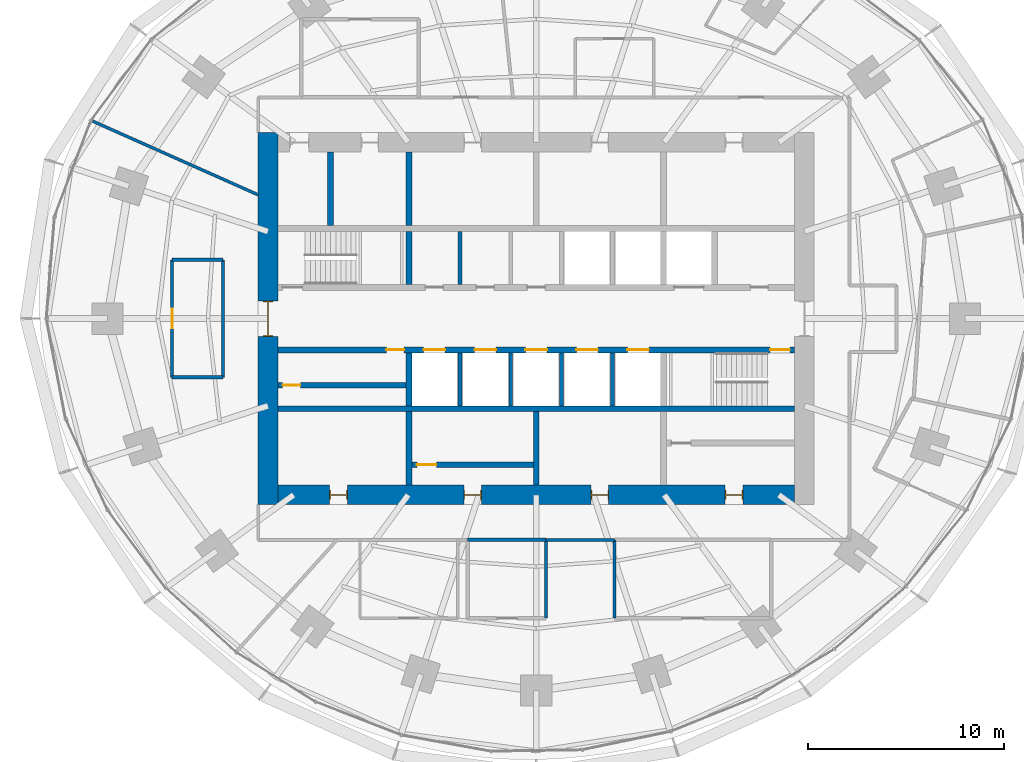
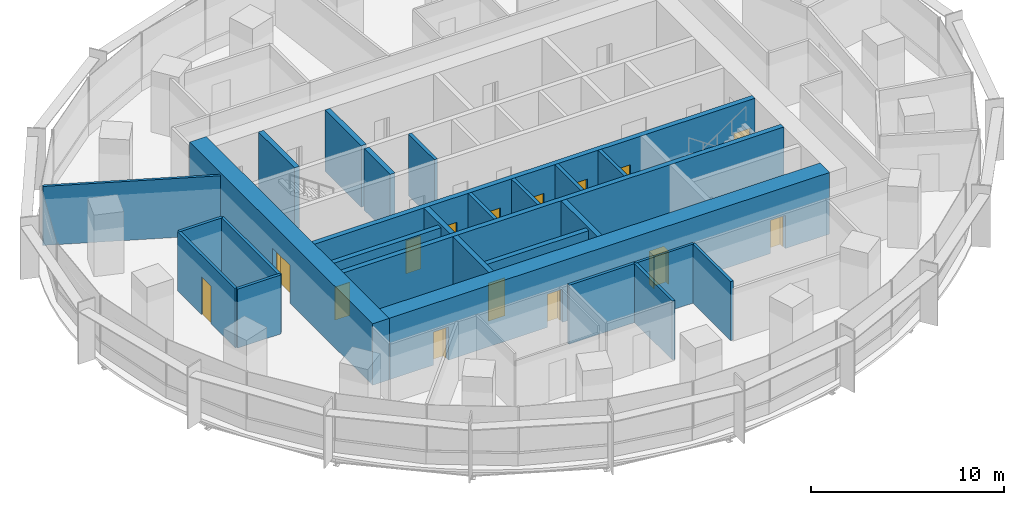
# One storey, part 10 of 14: 26 walls, 15 doors, 15 openings.
"""IFC4 building model written with IfcOpenShell, lengths in metres."""

from ifc_helpers import new_model, si_unit, direction, frame, frame_2d, origin, place, context, subcontext, project, spatial, rectangle, extrude, material, layer, layer_set, type_object, element, fill, save


model = new_model("IFC4")

# Units and contexts
model_context = context("Model", 3, precision=1e-05, world=origin(), true_north=direction((0.0, 1.0)))
body_context = subcontext(model_context, "Body", "Model", "MODEL_VIEW")
ifc_project = project(units=[si_unit("LENGTHUNIT", "METRE"), si_unit("AREAUNIT", "SQUARE_METRE"), si_unit("VOLUMEUNIT", "CUBIC_METRE"), si_unit("PLANEANGLEUNIT", "RADIAN"), si_unit("MASSUNIT", "GRAM", prefix="KILO")], contexts=[model_context])

# Site, building, storey
site_placement = place(None, origin())
site = spatial("IfcSite", under=ifc_project, at=site_placement, CompositionType="ELEMENT")
building_placement = place(site_placement, origin())
building = spatial("IfcBuilding", under=site, at=building_placement, Name="Marramba Exchange Tower", CompositionType="ELEMENT")
storey_placement = place(building_placement, frame((0.0, 0.0, 131.39990234375)))
storey = spatial("IfcBuildingStorey", under=building, at=storey_placement, Name="L31", CompositionType="ELEMENT", Elevation=131.39990234375)

# Walls
ifc_material_1 = material(Name="Plasterboard on staggered double steel studs, acoustic insulation", Category="steel")
ifc_layer_1 = layer(ifc_material_1, 0.169921875)
ifc_layer_set_1 = layer_set([ifc_layer_1], Name="Acoustic partition 170")
wall_type_1 = type_object("IfcWallType", Name="Acoustic partition 170", PredefinedType="PARTITIONING", material=ifc_layer_set_1)
wall_1_placement = place(storey_placement, frame((-16.0, -3.0, 0.0), z_axis=(0.0, 0.0, 1.0), x_axis=(-1.0, 0.0, 0.0)))
element("IfcWall", 1, at=wall_1_placement, inside=storey, type_object=wall_type_1, Name="Acoustic partition L31 01", PredefinedType="PARTITIONING", context=body_context, shape_type="SweptSolid", body=[
    extrude(rectangle(XDim=2.60009765625, YDim=0.169921875, at=frame_2d((1.300048828125, 0.0))), origin(), (0.0, 0.0, 1.0), 3.739990234375),
])
for number, where, z_axis, x_axis, name in (
    (2, (0.5, -11.300048828125, 0.0), (0.0, 0.0, 1.0), (-1.0, 0.0, 0.0), "Acoustic partition L31 09"),
    (3, (0.5, -15.300048828125, 0.0), (0.0, 0.0, 1.0), (0.0, 1.0, 0.0), "Acoustic partition L31 11"),
    (4, (4.0, -11.300048828125, 0.0), (0.0, 0.0, 1.0), (0.0, -1.0, 0.0), "Acoustic partition L31 13"),
):
    element("IfcWall", number, at=place(storey_placement, frame(where, z_axis=z_axis, x_axis=x_axis)), inside=storey, type_object=wall_type_1, Name=name, PredefinedType="PARTITIONING", context=body_context, shape_type="SweptSolid", body=[
        extrude(rectangle(XDim=4.0, YDim=0.169921875, at=frame_2d((2.0, 0.0))), origin(), (0.0, 0.0, 1.0), 3.739990234375),
    ])
wall_2_placement = place(storey_placement, frame((-18.60009765625, 3.0, 0.0), z_axis=(0.0, 0.0, 1.0), x_axis=(1.0, 0.0, 0.0)))
element("IfcWall", 5, at=wall_2_placement, inside=storey, type_object=wall_type_1, Name="Acoustic partition L31 46", PredefinedType="PARTITIONING", context=body_context, shape_type="SweptSolid", body=[
    extrude(rectangle(XDim=2.60009765625, YDim=0.169921875, at=frame_2d((1.300048828125, 0.0))), origin(), (0.0, 0.0, 1.0), 3.739990234375),
])

# Wall, opening, door
wall_3_placement = place(storey_placement, frame((-18.60009765625, -3.0, 0.0), z_axis=(0.0, 0.0, 1.0), x_axis=(0.0, 1.0, 0.0)))
wall_3 = element("IfcWall", 6, at=wall_3_placement, inside=storey, type_object=wall_type_1, Name="Acoustic partition L31 47", PredefinedType="PARTITIONING", context=body_context, shape_type="SweptSolid", body=[
    extrude(rectangle(XDim=6.0, YDim=0.169921875, at=frame_2d((3.0, 0.0))), origin(), (0.0, 0.0, 1.0), 3.739990234375),
])
opening_1_placement = place(wall_3_placement, frame((2.5, 0.0, 0.0)))
opening_1 = element("IfcOpeningElement", 7, at=opening_1_placement, cuts=wall_3, Name="Opening D9", PredefinedType="OPENING", context=body_context, shape_type="SweptSolid", body=[
    extrude(rectangle(XDim=1.0, YDim=2.39990234375, at=frame_2d((0.5, 1.199951171875))), frame((0.0, 0.094970703125, 0.0), z_axis=(0.0, -1.0, 0.0), x_axis=(1.0, 0.0, 0.0)), (0.0, 0.0, 1.0), 0.18994140625),
])
ifc_material_2 = material(Name="Timber door", Category="wood")
door_type_1 = type_object("IfcDoorType", Name="Room door 1000x2400", OperationType="SINGLE_SWING_LEFT", PredefinedType="DOOR", material=ifc_material_2)
door_1_placement = place(opening_1_placement, frame((1.0, 0.0, 0.0), z_axis=(0.0, 0.0, 1.0), x_axis=(-1.0, 0.0, 0.0)))
door_1 = element("IfcDoor", 8, at=door_1_placement, inside=storey, type_object=door_type_1, Name="D9 Quiet Room 2 L31", OperationType="SINGLE_SWING_RIGHT", OverallHeight=2.39990234375, OverallWidth=1.0, PredefinedType="DOOR", context=body_context, shape_type="SweptSolid", body=[
    extrude(rectangle(XDim=1.0, YDim=2.39990234375, at=frame_2d((0.5, 1.199951171875))), frame((0.0, 0.025146484375, 0.0), z_axis=(0.0, -1.0, 0.0), x_axis=(1.0, 0.0, 0.0)), (0.0, 0.0, 1.0), 0.050048828125),
])
fill(opening_1, door_1)

# Walls
wall_4_placement = place(storey_placement, frame((-16.0, 3.0, 0.0), z_axis=(0.0, 0.0, 1.0), x_axis=(0.0, -1.0, 0.0)))
element("IfcWall", 9, at=wall_4_placement, inside=storey, type_object=wall_type_1, Name="Acoustic partition L31 48", PredefinedType="PARTITIONING", context=body_context, shape_type="SweptSolid", body=[
    extrude(rectangle(XDim=6.0, YDim=0.169921875, at=frame_2d((3.0, 0.0))), origin(), (0.0, 0.0, 1.0), 3.739990234375),
])
ifc_material_3 = material(Name="Concrete N50", Category="concrete")
ifc_layer_2 = layer(ifc_material_3, 0.199951171875)
ifc_layer_set_2 = layer_set([ifc_layer_2], Name="Core shaft wall 200")
wall_type_2 = type_object("IfcWallType", Name="Core shaft wall 200", PredefinedType="SHEAR", material=ifc_layer_set_2)
for number, where, z_axis, x_axis, name in (
    (10, (-3.89990234375, 1.75, 0.0), (0.0, 0.0, 1.0), (0.0, 1.0, 0.0), "Core wall SHN1 L31"),
    (11, (-3.89990234375, -1.75, 0.0), (0.0, 0.0, 1.0), (0.0, -1.0, 0.0), "Core wall SHS1 L31"),
    (12, (-1.300048828125, -1.75, 0.0), (0.0, 0.0, 1.0), (0.0, -1.0, 0.0), "Core wall SHS2 L31"),
    (13, (1.300048828125, -1.75, 0.0), (0.0, 0.0, 1.0), (0.0, -1.0, 0.0), "Core wall SHS3 L31"),
    (14, (3.89990234375, -1.75, 0.0), (0.0, 0.0, 1.0), (0.0, -1.0, 0.0), "Core wall SHS4 L31"),
):
    element("IfcWall", number, at=place(storey_placement, frame(where, z_axis=z_axis, x_axis=x_axis)), inside=storey, type_object=wall_type_2, Name=name, PredefinedType="SHEAR", context=body_context, shape_type="SweptSolid", body=[
        extrude(rectangle(XDim=2.699951171875, YDim=0.199951171875, at=frame_2d((1.35009765625, 0.0))), origin(), (0.0, 0.0, 1.0), 3.900146484375),
    ])

# Wall, openings, doors
ifc_layer_3 = layer(ifc_material_3, 1.0)
ifc_layer_set_3 = layer_set([ifc_layer_3], Name="Core wall 1000")
wall_type_3 = type_object("IfcWallType", Name="Core wall 1000", PredefinedType="SHEAR", material=ifc_layer_set_3)
wall_5_placement = place(storey_placement, frame((-13.199951171875, -9.0, 0.0), z_axis=(0.0, 0.0, 1.0), x_axis=(1.0, 0.0, 0.0)))
wall_5 = element("IfcWall", 15, at=wall_5_placement, inside=storey, type_object=wall_type_3, Name="Core wall S L31", PredefinedType="SHEAR", context=body_context, shape_type="SweptSolid", body=[
    extrude(rectangle(XDim=26.39990234375, YDim=1.0, at=frame_2d((13.199951171875, 0.0))), origin(), (0.0, 0.0, 1.0), 3.900146484375),
])
opening_2_placement = place(wall_5_placement, frame((2.64990234375, 0.0, 0.0)))
opening_2 = element("IfcOpeningElement", 16, at=opening_2_placement, cuts=wall_5, Name="Opening D5", PredefinedType="OPENING", context=body_context, shape_type="SweptSolid", body=[
    extrude(rectangle(XDim=0.89990234375, YDim=2.10009765625, at=frame_2d((0.449951171875, 1.050048828125))), frame((0.0, 0.510009765625, 0.0), z_axis=(0.0, -1.0, 0.0), x_axis=(1.0, 0.0, 0.0)), (0.0, 0.0, 1.0), 1.02001953125),
])
opening_3_placement = place(wall_5_placement, frame((9.5, 0.0, 0.0)))
opening_3 = element("IfcOpeningElement", 17, at=opening_3_placement, cuts=wall_5, Name="Opening D5", PredefinedType="OPENING", context=body_context, shape_type="SweptSolid", body=[
    extrude(rectangle(XDim=0.89990234375, YDim=2.10009765625, at=frame_2d((0.449951171875, 1.050048828125))), frame((0.0, 0.510009765625, 0.0), z_axis=(0.0, -1.0, 0.0), x_axis=(1.0, 0.0, 0.0)), (0.0, 0.0, 1.0), 1.02001953125),
])
opening_4_placement = place(wall_5_placement, frame((16.0, 0.0, 0.0)))
opening_4 = element("IfcOpeningElement", 18, at=opening_4_placement, cuts=wall_5, Name="Opening D5", PredefinedType="OPENING", context=body_context, shape_type="SweptSolid", body=[
    extrude(rectangle(XDim=0.89990234375, YDim=2.10009765625, at=frame_2d((0.449951171875, 1.050048828125))), frame((0.0, 0.510009765625, 0.0), z_axis=(0.0, -1.0, 0.0), x_axis=(1.0, 0.0, 0.0)), (0.0, 0.0, 1.0), 1.02001953125),
])
opening_5_placement = place(wall_5_placement, frame((22.85009765625, 0.0, 0.0)))
opening_5 = element("IfcOpeningElement", 19, at=opening_5_placement, cuts=wall_5, Name="Opening D5", PredefinedType="OPENING", context=body_context, shape_type="SweptSolid", body=[
    extrude(rectangle(XDim=0.89990234375, YDim=2.10009765625, at=frame_2d((0.449951171875, 1.050048828125))), frame((0.0, 0.510009765625, 0.0), z_axis=(0.0, -1.0, 0.0), x_axis=(1.0, 0.0, 0.0)), (0.0, 0.0, 1.0), 1.02001953125),
])
ifc_material_4 = material(Name="Steel-framed door", Category="steel")
door_type_2 = type_object("IfcDoorType", Name="Service door 900x2100", OperationType="SINGLE_SWING_LEFT", PredefinedType="DOOR", material=ifc_material_4)
door_2_placement = place(opening_2_placement, origin())
door_2 = element("IfcDoor", 20, at=door_2_placement, inside=storey, type_object=door_type_2, Name="D5 ahu L31", OperationType="SINGLE_SWING_LEFT", OverallHeight=2.10009765625, OverallWidth=0.89990234375, PredefinedType="DOOR", context=body_context, shape_type="SweptSolid", body=[
    extrude(rectangle(XDim=0.81982421875, YDim=2.06005859375, at=frame_2d((0.449951171875, 1.030029296875))), frame((0.0, 0.02490234375, 0.0), z_axis=(0.0, -1.0, 0.0), x_axis=(1.0, 0.0, 0.0)), (0.0, 0.0, 1.0), 0.050048828125),
    extrude(rectangle(XDim=0.04, YDim=2.10009765625, at=frame_2d((0.02001953125, 1.050048828125))), frame((0.0, 0.25, 0.0), z_axis=(0.0, -1.0, 0.0), x_axis=(1.0, 0.0, 0.0)), (0.0, 0.0, 1.0), 0.5),
    extrude(rectangle(XDim=0.04, YDim=2.10009765625, at=frame_2d((0.8798828125, 1.050048828125))), frame((0.0, 0.25, 0.0), z_axis=(0.0, -1.0, 0.0), x_axis=(1.0, 0.0, 0.0)), (0.0, 0.0, 1.0), 0.5),
    extrude(rectangle(XDim=0.81982421875, YDim=0.04, at=frame_2d((0.449951171875, 2.080078125))), frame((0.0, 0.25, 0.0), z_axis=(0.0, -1.0, 0.0), x_axis=(1.0, 0.0, 0.0)), (0.0, 0.0, 1.0), 0.5),
])
fill(opening_2, door_2)
door_3_placement = place(opening_3_placement, origin())
door_3 = element("IfcDoor", 21, at=door_3_placement, inside=storey, type_object=door_type_2, Name="D5 store L31", OperationType="SINGLE_SWING_RIGHT", OverallHeight=2.10009765625, OverallWidth=0.89990234375, PredefinedType="DOOR", context=body_context, shape_type="SweptSolid", body=[
    extrude(rectangle(XDim=0.81982421875, YDim=2.06005859375, at=frame_2d((0.449951171875, 1.030029296875))), frame((0.0, 0.02490234375, 0.0), z_axis=(0.0, -1.0, 0.0), x_axis=(1.0, 0.0, 0.0)), (0.0, 0.0, 1.0), 0.050048828125),
    extrude(rectangle(XDim=0.04, YDim=2.10009765625, at=frame_2d((0.02001953125, 1.050048828125))), frame((0.0, 0.25, 0.0), z_axis=(0.0, -1.0, 0.0), x_axis=(1.0, 0.0, 0.0)), (0.0, 0.0, 1.0), 0.5),
    extrude(rectangle(XDim=0.04, YDim=2.10009765625, at=frame_2d((0.8798828125, 1.050048828125))), frame((0.0, 0.25, 0.0), z_axis=(0.0, -1.0, 0.0), x_axis=(1.0, 0.0, 0.0)), (0.0, 0.0, 1.0), 0.5),
    extrude(rectangle(XDim=0.81982421875, YDim=0.04, at=frame_2d((0.449951171875, 2.080078125))), frame((0.0, 0.25, 0.0), z_axis=(0.0, -1.0, 0.0), x_axis=(1.0, 0.0, 0.0)), (0.0, 0.0, 1.0), 0.5),
])
fill(opening_3, door_3)
door_4_placement = place(opening_4_placement, origin())
door_4 = element("IfcDoor", 22, at=door_4_placement, inside=storey, type_object=door_type_2, Name="D5 switch L31", OperationType="SINGLE_SWING_RIGHT", OverallHeight=2.10009765625, OverallWidth=0.89990234375, PredefinedType="DOOR", context=body_context, shape_type="SweptSolid", body=[
    extrude(rectangle(XDim=0.81982421875, YDim=2.06005859375, at=frame_2d((0.449951171875, 1.030029296875))), frame((0.0, 0.02490234375, 0.0), z_axis=(0.0, -1.0, 0.0), x_axis=(1.0, 0.0, 0.0)), (0.0, 0.0, 1.0), 0.050048828125),
    extrude(rectangle(XDim=0.04, YDim=2.10009765625, at=frame_2d((0.02001953125, 1.050048828125))), frame((0.0, 0.25, 0.0), z_axis=(0.0, -1.0, 0.0), x_axis=(1.0, 0.0, 0.0)), (0.0, 0.0, 1.0), 0.5),
    extrude(rectangle(XDim=0.04, YDim=2.10009765625, at=frame_2d((0.8798828125, 1.050048828125))), frame((0.0, 0.25, 0.0), z_axis=(0.0, -1.0, 0.0), x_axis=(1.0, 0.0, 0.0)), (0.0, 0.0, 1.0), 0.5),
    extrude(rectangle(XDim=0.81982421875, YDim=0.04, at=frame_2d((0.449951171875, 2.080078125))), frame((0.0, 0.25, 0.0), z_axis=(0.0, -1.0, 0.0), x_axis=(1.0, 0.0, 0.0)), (0.0, 0.0, 1.0), 0.5),
])
fill(opening_4, door_4)
door_5_placement = place(opening_5_placement, origin())
door_5 = element("IfcDoor", 23, at=door_5_placement, inside=storey, type_object=door_type_2, Name="D5 cstore L31", OperationType="SINGLE_SWING_RIGHT", OverallHeight=2.10009765625, OverallWidth=0.89990234375, PredefinedType="DOOR", context=body_context, shape_type="SweptSolid", body=[
    extrude(rectangle(XDim=0.81982421875, YDim=2.06005859375, at=frame_2d((0.449951171875, 1.030029296875))), frame((0.0, 0.02490234375, 0.0), z_axis=(0.0, -1.0, 0.0), x_axis=(1.0, 0.0, 0.0)), (0.0, 0.0, 1.0), 0.050048828125),
    extrude(rectangle(XDim=0.04, YDim=2.10009765625, at=frame_2d((0.02001953125, 1.050048828125))), frame((0.0, 0.25, 0.0), z_axis=(0.0, -1.0, 0.0), x_axis=(1.0, 0.0, 0.0)), (0.0, 0.0, 1.0), 0.5),
    extrude(rectangle(XDim=0.04, YDim=2.10009765625, at=frame_2d((0.8798828125, 1.050048828125))), frame((0.0, 0.25, 0.0), z_axis=(0.0, -1.0, 0.0), x_axis=(1.0, 0.0, 0.0)), (0.0, 0.0, 1.0), 0.5),
    extrude(rectangle(XDim=0.81982421875, YDim=0.04, at=frame_2d((0.449951171875, 2.080078125))), frame((0.0, 0.25, 0.0), z_axis=(0.0, -1.0, 0.0), x_axis=(1.0, 0.0, 0.0)), (0.0, 0.0, 1.0), 0.5),
])
fill(opening_5, door_5)

# Wall, opening, door
wall_6_placement = place(storey_placement, frame((-13.699951171875, 9.5, 0.0), z_axis=(0.0, 0.0, 1.0), x_axis=(0.0, -1.0, 0.0)))
wall_6 = element("IfcWall", 24, at=wall_6_placement, inside=storey, type_object=wall_type_3, Name="Core wall W L31", PredefinedType="SHEAR", context=body_context, shape_type="SweptSolid", body=[
    extrude(rectangle(XDim=19.0, YDim=1.0, at=frame_2d((9.5, 0.0))), origin(), (0.0, 0.0, 1.0), 3.900146484375),
])
opening_6_placement = place(wall_6_placement, frame((8.60009765625, 0.0, 0.0)))
opening_6 = element("IfcOpeningElement", 25, at=opening_6_placement, cuts=wall_6, Name="Opening D1", PredefinedType="OPENING", context=body_context, shape_type="SweptSolid", body=[
    extrude(rectangle(XDim=1.800048828125, YDim=2.39990234375, at=frame_2d((0.89990234375, 1.199951171875))), frame((0.0, 0.510009765625, 0.0), z_axis=(0.0, -1.0, 0.0), x_axis=(1.0, 0.0, 0.0)), (0.0, 0.0, 1.0), 1.02001953125),
])
door_type_3 = type_object("IfcDoorType", Name="Lobby exit door 1800x2400", OperationType="DOUBLE_DOOR_SINGLE_SWING", PredefinedType="DOOR", material=ifc_material_4)
door_6_placement = place(opening_6_placement, origin())
door_6 = element("IfcDoor", 26, at=door_6_placement, inside=storey, type_object=door_type_3, Name="D1 lobby exit west L31", OperationType="DOUBLE_DOOR_SINGLE_SWING", OverallHeight=2.39990234375, OverallWidth=1.800048828125, PredefinedType="DOOR", context=body_context, shape_type="SweptSolid", body=[
    extrude(rectangle(XDim=1.719970703125, YDim=2.35986328125, at=frame_2d((0.89990234375, 1.179931640625))), frame((0.0, 0.02490234375, 0.0), z_axis=(0.0, -1.0, 0.0), x_axis=(1.0, 0.0, 0.0)), (0.0, 0.0, 1.0), 0.050048828125),
    extrude(rectangle(XDim=0.04, YDim=2.39990234375, at=frame_2d((0.02001953125, 1.199951171875))), frame((0.0, 0.25, 0.0), z_axis=(0.0, -1.0, 0.0), x_axis=(1.0, 0.0, 0.0)), (0.0, 0.0, 1.0), 0.5),
    extrude(rectangle(XDim=0.04, YDim=2.39990234375, at=frame_2d((1.780029296875, 1.199951171875))), frame((0.0, 0.25, 0.0), z_axis=(0.0, -1.0, 0.0), x_axis=(1.0, 0.0, 0.0)), (0.0, 0.0, 1.0), 0.5),
    extrude(rectangle(XDim=1.719970703125, YDim=0.04, at=frame_2d((0.89990234375, 2.3798828125))), frame((0.0, 0.25, 0.0), z_axis=(0.0, -1.0, 0.0), x_axis=(1.0, 0.0, 0.0)), (0.0, 0.0, 1.0), 0.5),
])
fill(opening_6, door_6)

# Wall, openings, doors
ifc_layer_4 = layer(ifc_material_3, 0.300048828125)
ifc_layer_set_4 = layer_set([ifc_layer_4], Name="Core wall 300")
wall_type_4 = type_object("IfcWallType", Name="Core wall 300", PredefinedType="SHEAR", material=ifc_layer_set_4)
wall_7_placement = place(storey_placement, frame((-13.199951171875, -1.60009765625, 0.0), z_axis=(0.0, 0.0, 1.0), x_axis=(1.0, 0.0, 0.0)))
wall_7 = element("IfcWall", 27, at=wall_7_placement, inside=storey, type_object=wall_type_4, Name="Core wall LS L31", PredefinedType="SHEAR", context=body_context, shape_type="SweptSolid", body=[
    extrude(rectangle(XDim=26.39990234375, YDim=0.300048828125, at=frame_2d((13.199951171875, 0.0))), origin(), (0.0, 0.0, 1.0), 3.900146484375),
])
opening_7_placement = place(wall_7_placement, frame((25.14990234375, 0.0, 0.0)))
opening_7 = element("IfcOpeningElement", 28, at=opening_7_placement, cuts=wall_7, Name="Opening D2", PredefinedType="OPENING", context=body_context, shape_type="SweptSolid", body=[
    extrude(rectangle(XDim=1.0, YDim=2.10009765625, at=frame_2d((0.5, 1.050048828125))), frame((0.0, 0.159912109375, 0.0), z_axis=(0.0, -1.0, 0.0), x_axis=(1.0, 0.0, 0.0)), (0.0, 0.0, 1.0), 0.320068359375),
])
opening_8_placement = place(wall_7_placement, frame((7.449951171875, 0.0, 0.0)))
opening_8 = element("IfcOpeningElement", 29, at=opening_8_placement, cuts=wall_7, Name="Opening LD1", PredefinedType="OPENING", context=body_context, shape_type="SweptSolid", body=[
    extrude(rectangle(XDim=1.10009765625, YDim=2.300048828125, at=frame_2d((0.550048828125, 1.14990234375))), frame((0.0, 0.159912109375, 0.0), z_axis=(0.0, -1.0, 0.0), x_axis=(1.0, 0.0, 0.0)), (0.0, 0.0, 1.0), 0.320068359375),
])
opening_9_placement = place(wall_7_placement, frame((10.050048828125, 0.0, 0.0)))
opening_9 = element("IfcOpeningElement", 30, at=opening_9_placement, cuts=wall_7, Name="Opening LD1", PredefinedType="OPENING", context=body_context, shape_type="SweptSolid", body=[
    extrude(rectangle(XDim=1.10009765625, YDim=2.300048828125, at=frame_2d((0.550048828125, 1.14990234375))), frame((0.0, 0.159912109375, 0.0), z_axis=(0.0, -1.0, 0.0), x_axis=(1.0, 0.0, 0.0)), (0.0, 0.0, 1.0), 0.320068359375),
])
opening_10_placement = place(wall_7_placement, frame((12.64990234375, 0.0, 0.0)))
opening_10 = element("IfcOpeningElement", 31, at=opening_10_placement, cuts=wall_7, Name="Opening LD1", PredefinedType="OPENING", context=body_context, shape_type="SweptSolid", body=[
    extrude(rectangle(XDim=1.10009765625, YDim=2.300048828125, at=frame_2d((0.550048828125, 1.14990234375))), frame((0.0, 0.159912109375, 0.0), z_axis=(0.0, -1.0, 0.0), x_axis=(1.0, 0.0, 0.0)), (0.0, 0.0, 1.0), 0.320068359375),
])
opening_11_placement = place(wall_7_placement, frame((15.25, 0.0, 0.0)))
opening_11 = element("IfcOpeningElement", 32, at=opening_11_placement, cuts=wall_7, Name="Opening LD2", PredefinedType="OPENING", context=body_context, shape_type="SweptSolid", body=[
    extrude(rectangle(XDim=1.10009765625, YDim=2.300048828125, at=frame_2d((0.550048828125, 1.14990234375))), frame((0.0, 0.159912109375, 0.0), z_axis=(0.0, -1.0, 0.0), x_axis=(1.0, 0.0, 0.0)), (0.0, 0.0, 1.0), 0.320068359375),
])
opening_12_placement = place(wall_7_placement, frame((17.85009765625, 0.0, 0.0)))
opening_12 = element("IfcOpeningElement", 33, at=opening_12_placement, cuts=wall_7, Name="Opening LD2", PredefinedType="OPENING", context=body_context, shape_type="SweptSolid", body=[
    extrude(rectangle(XDim=1.10009765625, YDim=2.300048828125, at=frame_2d((0.550048828125, 1.14990234375))), frame((0.0, 0.159912109375, 0.0), z_axis=(0.0, -1.0, 0.0), x_axis=(1.0, 0.0, 0.0)), (0.0, 0.0, 1.0), 0.320068359375),
])
opening_13_placement = place(wall_7_placement, frame((5.550048828125, 0.0, 0.0)))
opening_13 = element("IfcOpeningElement", 34, at=opening_13_placement, cuts=wall_7, Name="Opening D5", PredefinedType="OPENING", context=body_context, shape_type="SweptSolid", body=[
    extrude(rectangle(XDim=0.89990234375, YDim=2.10009765625, at=frame_2d((0.449951171875, 1.050048828125))), frame((0.0, 0.159912109375, 0.0), z_axis=(0.0, -1.0, 0.0), x_axis=(1.0, 0.0, 0.0)), (0.0, 0.0, 1.0), 0.320068359375),
])
door_type_4 = type_object("IfcDoorType", Name="Emergency lift landing door 1100x2300", OperationType="SLIDING_TO_LEFT", PredefinedType="DOOR", material=ifc_material_4)
door_7_placement = place(opening_11_placement, frame((1.10009765625, 0.0, 0.0), z_axis=(0.0, 0.0, 1.0), x_axis=(-1.0, 0.0, 0.0)))
door_7 = element("IfcDoor", 35, at=door_7_placement, inside=storey, type_object=door_type_4, Name="FL1 landing door L31", OperationType="SLIDING_TO_RIGHT", OverallHeight=2.300048828125, OverallWidth=1.10009765625, PredefinedType="DOOR", context=body_context, shape_type="SweptSolid", body=[
    extrude(rectangle(XDim=1.10009765625, YDim=2.300048828125, at=frame_2d((0.550048828125, 1.14990234375))), frame((0.0, 0.025146484375, 0.0), z_axis=(0.0, -1.0, 0.0), x_axis=(1.0, 0.0, 0.0)), (0.0, 0.0, 1.0), 0.050048828125),
])
fill(opening_11, door_7)
door_8_placement = place(opening_12_placement, frame((1.10009765625, 0.0, 0.0), z_axis=(0.0, 0.0, 1.0), x_axis=(-1.0, 0.0, 0.0)))
door_8 = element("IfcDoor", 36, at=door_8_placement, inside=storey, type_object=door_type_4, Name="FL2 landing door L31", OperationType="SLIDING_TO_LEFT", OverallHeight=2.300048828125, OverallWidth=1.10009765625, PredefinedType="DOOR", context=body_context, shape_type="SweptSolid", body=[
    extrude(rectangle(XDim=1.10009765625, YDim=2.300048828125, at=frame_2d((0.550048828125, 1.14990234375))), frame((0.0, 0.025146484375, 0.0), z_axis=(0.0, -1.0, 0.0), x_axis=(1.0, 0.0, 0.0)), (0.0, 0.0, 1.0), 0.050048828125),
])
fill(opening_12, door_8)
door_type_5 = type_object("IfcDoorType", Name="Lift landing door 1100x2300", OperationType="SLIDING_TO_LEFT", PredefinedType="DOOR", material=ifc_material_4)
door_9_placement = place(opening_8_placement, frame((1.10009765625, 0.0, 0.0), z_axis=(0.0, 0.0, 1.0), x_axis=(-1.0, 0.0, 0.0)))
door_9 = element("IfcDoor", 37, at=door_9_placement, inside=storey, type_object=door_type_5, Name="LB1 landing door L31", OperationType="SLIDING_TO_LEFT", OverallHeight=2.300048828125, OverallWidth=1.10009765625, PredefinedType="DOOR", context=body_context, shape_type="SweptSolid", body=[
    extrude(rectangle(XDim=1.10009765625, YDim=2.300048828125, at=frame_2d((0.550048828125, 1.14990234375))), frame((0.0, 0.025146484375, 0.0), z_axis=(0.0, -1.0, 0.0), x_axis=(1.0, 0.0, 0.0)), (0.0, 0.0, 1.0), 0.050048828125),
])
fill(opening_8, door_9)
door_10_placement = place(opening_9_placement, frame((1.10009765625, 0.0, 0.0), z_axis=(0.0, 0.0, 1.0), x_axis=(-1.0, 0.0, 0.0)))
door_10 = element("IfcDoor", 38, at=door_10_placement, inside=storey, type_object=door_type_5, Name="LB2 landing door L31", OperationType="SLIDING_TO_RIGHT", OverallHeight=2.300048828125, OverallWidth=1.10009765625, PredefinedType="DOOR", context=body_context, shape_type="SweptSolid", body=[
    extrude(rectangle(XDim=1.10009765625, YDim=2.300048828125, at=frame_2d((0.550048828125, 1.14990234375))), frame((0.0, 0.025146484375, 0.0), z_axis=(0.0, -1.0, 0.0), x_axis=(1.0, 0.0, 0.0)), (0.0, 0.0, 1.0), 0.050048828125),
])
fill(opening_9, door_10)
door_11_placement = place(opening_10_placement, frame((1.10009765625, 0.0, 0.0), z_axis=(0.0, 0.0, 1.0), x_axis=(-1.0, 0.0, 0.0)))
door_11 = element("IfcDoor", 39, at=door_11_placement, inside=storey, type_object=door_type_5, Name="LB3 landing door L31", OperationType="SLIDING_TO_RIGHT", OverallHeight=2.300048828125, OverallWidth=1.10009765625, PredefinedType="DOOR", context=body_context, shape_type="SweptSolid", body=[
    extrude(rectangle(XDim=1.10009765625, YDim=2.300048828125, at=frame_2d((0.550048828125, 1.14990234375))), frame((0.0, 0.025146484375, 0.0), z_axis=(0.0, -1.0, 0.0), x_axis=(1.0, 0.0, 0.0)), (0.0, 0.0, 1.0), 0.050048828125),
])
fill(opening_10, door_11)
door_12_placement = place(opening_13_placement, frame((0.89990234375, 0.0, 0.0), z_axis=(0.0, 0.0, 1.0), x_axis=(-1.0, 0.0, 0.0)))
door_12 = element("IfcDoor", 40, at=door_12_placement, inside=storey, type_object=door_type_2, Name="D5 electrical riser L31", OperationType="SINGLE_SWING_LEFT", OverallHeight=2.10009765625, OverallWidth=0.89990234375, PredefinedType="DOOR", context=body_context, shape_type="SweptSolid", body=[
    extrude(rectangle(XDim=0.89990234375, YDim=2.10009765625, at=frame_2d((0.449951171875, 1.050048828125))), frame((0.0, 0.025146484375, 0.0), z_axis=(0.0, -1.0, 0.0), x_axis=(1.0, 0.0, 0.0)), (0.0, 0.0, 1.0), 0.050048828125),
])
fill(opening_13, door_12)
door_type_6 = type_object("IfcDoorType", Name="Stair door 1000x2100", OperationType="SINGLE_SWING_LEFT", PredefinedType="DOOR", material=ifc_material_4)
door_13_placement = place(opening_7_placement, frame((1.0, 0.0, 0.0), z_axis=(0.0, 0.0, 1.0), x_axis=(-1.0, 0.0, 0.0)))
door_13 = element("IfcDoor", 41, at=door_13_placement, inside=storey, type_object=door_type_6, Name="D2 stair ST2 L31", OperationType="SINGLE_SWING_LEFT", OverallHeight=2.10009765625, OverallWidth=1.0, PredefinedType="DOOR", context=body_context, shape_type="SweptSolid", body=[
    extrude(rectangle(XDim=1.0, YDim=2.10009765625, at=frame_2d((0.5, 1.050048828125))), frame((0.0, 0.025146484375, 0.0), z_axis=(0.0, -1.0, 0.0), x_axis=(1.0, 0.0, 0.0)), (0.0, 0.0, 1.0), 0.050048828125),
])
fill(opening_7, door_13)

# Walls
wall_8_placement = place(storey_placement, frame((-13.199951171875, -4.60009765625, 0.0), z_axis=(0.0, 0.0, 1.0), x_axis=(1.0, 0.0, 0.0)))
element("IfcWall", 42, at=wall_8_placement, inside=storey, type_object=wall_type_4, Name="Core wall BS L31", PredefinedType="SHEAR", context=body_context, shape_type="SweptSolid", body=[
    extrude(rectangle(XDim=26.39990234375, YDim=0.300048828125, at=frame_2d((13.199951171875, 0.0))), origin(), (0.0, 0.0, 1.0), 3.900146484375),
])
wall_9_placement = place(storey_placement, frame((-6.5, 1.75, 0.0), z_axis=(0.0, 0.0, 1.0), x_axis=(0.0, 1.0, 0.0)))
element("IfcWall", 43, at=wall_9_placement, inside=storey, type_object=wall_type_4, Name="Core wall X0Na L31", PredefinedType="SHEAR", context=body_context, shape_type="SweptSolid", body=[
    extrude(rectangle(XDim=2.699951171875, YDim=0.300048828125, at=frame_2d((1.35009765625, 0.0))), origin(), (0.0, 0.0, 1.0), 3.900146484375),
])
wall_10_placement = place(storey_placement, frame((-6.5, 4.75, 0.0), z_axis=(0.0, 0.0, 1.0), x_axis=(0.0, 1.0, 0.0)))
element("IfcWall", 44, at=wall_10_placement, inside=storey, type_object=wall_type_4, Name="Core wall X0Nb L31", PredefinedType="SHEAR", context=body_context, shape_type="SweptSolid", body=[
    extrude(rectangle(XDim=3.75, YDim=0.300048828125, at=frame_2d((1.875, 0.0))), origin(), (0.0, 0.0, 1.0), 3.900146484375),
])
wall_11_placement = place(storey_placement, frame((-6.5, -1.75, 0.0), z_axis=(0.0, 0.0, 1.0), x_axis=(0.0, -1.0, 0.0)))
element("IfcWall", 45, at=wall_11_placement, inside=storey, type_object=wall_type_4, Name="Core wall X0Sa L31", PredefinedType="SHEAR", context=body_context, shape_type="SweptSolid", body=[
    extrude(rectangle(XDim=2.699951171875, YDim=0.300048828125, at=frame_2d((1.35009765625, 0.0))), origin(), (0.0, 0.0, 1.0), 3.900146484375),
])
for number, where, z_axis, x_axis, name in (
    (46, (-6.5, -4.75, 0.0), (0.0, 0.0, 1.0), (0.0, -1.0, 0.0), "Core wall X0Sb L31"),
    (47, (0.0, -4.75, 0.0), (0.0, 0.0, 1.0), (0.0, -1.0, 0.0), "Core wall MS L31"),
    (48, (-10.5, 4.75, 0.0), (0.0, 0.0, 1.0), (0.0, 1.0, 0.0), "Core wall WD L31"),
):
    element("IfcWall", number, at=place(storey_placement, frame(where, z_axis=z_axis, x_axis=x_axis)), inside=storey, type_object=wall_type_4, Name=name, PredefinedType="SHEAR", context=body_context, shape_type="SweptSolid", body=[
        extrude(rectangle(XDim=3.75, YDim=0.300048828125, at=frame_2d((1.875, 0.0))), origin(), (0.0, 0.0, 1.0), 3.900146484375),
    ])

# Wall, opening, door
ifc_material_5 = material(Name="Core-filled concrete blockwork", Category="masonry")
ifc_layer_5 = layer(ifc_material_5, 0.300048828125)
ifc_layer_set_5 = layer_set([ifc_layer_5], Name="Riser enclosure wall 300")
wall_type_5 = type_object("IfcWallType", Name="Riser enclosure wall 300", PredefinedType="SOLIDWALL", material=ifc_layer_set_5)
wall_12_placement = place(storey_placement, frame((-13.199951171875, -3.39990234375, 0.0), z_axis=(0.0, 0.0, 1.0), x_axis=(1.0, 0.0, 0.0)))
wall_12 = element("IfcWall", 49, at=wall_12_placement, inside=storey, type_object=wall_type_5, Name="Riser enclosure wall L31", PredefinedType="SOLIDWALL", context=body_context, shape_type="SweptSolid", body=[
    extrude(rectangle(XDim=6.550048828125, YDim=0.300048828125, at=frame_2d((3.27490234375, 0.0))), origin(), (0.0, 0.0, 1.0), 3.739990234375),
])
opening_14_placement = place(wall_12_placement, frame((0.25, 0.0, 0.0)))
opening_14 = element("IfcOpeningElement", 50, at=opening_14_placement, cuts=wall_12, Name="Opening D5", PredefinedType="OPENING", context=body_context, shape_type="SweptSolid", body=[
    extrude(rectangle(XDim=0.89990234375, YDim=2.10009765625, at=frame_2d((0.449951171875, 1.050048828125))), frame((0.0, 0.159912109375, 0.0), z_axis=(0.0, -1.0, 0.0), x_axis=(1.0, 0.0, 0.0)), (0.0, 0.0, 1.0), 0.320068359375),
])
door_14_placement = place(opening_14_placement, frame((0.89990234375, 0.0, 0.0), z_axis=(0.0, 0.0, 1.0), x_axis=(-1.0, 0.0, 0.0)))
door_14 = element("IfcDoor", 51, at=door_14_placement, inside=storey, type_object=door_type_2, Name="D5 electrical riser back L31", OperationType="SINGLE_SWING_RIGHT", OverallHeight=2.10009765625, OverallWidth=0.89990234375, PredefinedType="DOOR", context=body_context, shape_type="SweptSolid", body=[
    extrude(rectangle(XDim=0.89990234375, YDim=2.10009765625, at=frame_2d((0.449951171875, 1.050048828125))), frame((0.0, 0.025146484375, 0.0), z_axis=(0.0, -1.0, 0.0), x_axis=(1.0, 0.0, 0.0)), (0.0, 0.0, 1.0), 0.050048828125),
])
fill(opening_14, door_14)

ifc_material_6 = material(Name="Plasterboard on steel studs, insulated, unrated", Category="steel")
ifc_layer_6 = layer(ifc_material_6, 0.300048828125)
ifc_layer_set_6 = layer_set([ifc_layer_6], Name="Store partition 300")
wall_type_6 = type_object("IfcWallType", Name="Store partition 300", PredefinedType="PARTITIONING", material=ifc_layer_set_6)
wall_13_placement = place(storey_placement, frame((-6.35009765625, -7.4599609375, 0.0), z_axis=(0.0, 0.0, 1.0), x_axis=(1.0, 0.0, 0.0)))
wall_13 = element("IfcWall", 52, at=wall_13_placement, inside=storey, type_object=wall_type_6, Name="Store partition L31 store", PredefinedType="PARTITIONING", context=body_context, shape_type="SweptSolid", body=[
    extrude(rectangle(XDim=6.2001953125, YDim=0.300048828125, at=frame_2d((3.10009765625, 0.0))), origin(), (0.0, 0.0, 1.0), 3.739990234375),
])
opening_15_placement = place(wall_13_placement, frame((0.25, 0.0, 0.0)))
opening_15 = element("IfcOpeningElement", 53, at=opening_15_placement, cuts=wall_13, Name="Opening D9", PredefinedType="OPENING", context=body_context, shape_type="SweptSolid", body=[
    extrude(rectangle(XDim=1.0, YDim=2.39990234375, at=frame_2d((0.5, 1.199951171875))), frame((0.0, 0.159912109375, 0.0), z_axis=(0.0, -1.0, 0.0), x_axis=(1.0, 0.0, 0.0)), (0.0, 0.0, 1.0), 0.320068359375),
])
door_15_placement = place(opening_15_placement, frame((1.0, 0.0, 0.0), z_axis=(0.0, 0.0, 1.0), x_axis=(-1.0, 0.0, 0.0)))
door_15 = element("IfcDoor", 54, at=door_15_placement, inside=storey, type_object=door_type_1, Name="D9 stationery store L31", OperationType="SINGLE_SWING_RIGHT", OverallHeight=2.39990234375, OverallWidth=1.0, PredefinedType="DOOR", context=body_context, shape_type="SweptSolid", body=[
    extrude(rectangle(XDim=1.0, YDim=2.39990234375, at=frame_2d((0.5, 1.199951171875))), frame((0.0, 0.025146484375, 0.0), z_axis=(0.0, -1.0, 0.0), x_axis=(1.0, 0.0, 0.0)), (0.0, 0.0, 1.0), 0.050048828125),
])
fill(opening_15, door_15)

# Walls
ifc_material_7 = material(Name="Fire-rated plasterboard on steel studs, acoustic insulation", Category="steel")
ifc_layer_7 = layer(ifc_material_7, 0.14990234375)
ifc_layer_set_7 = layer_set([ifc_layer_7], Name="Tenancy wall 150")
wall_type_7 = type_object("IfcWallType", Name="Tenancy wall 150", PredefinedType="PARTITIONING", material=ifc_layer_set_7)
wall_14_placement = place(storey_placement, frame((0.5, -11.300048828125, 0.0), z_axis=(0.0, 0.0, 1.0), x_axis=(1.0, 0.0, 0.0)))
element("IfcWall", 55, at=wall_14_placement, inside=storey, type_object=wall_type_7, Name="Tenancy wall L31 12", PredefinedType="PARTITIONING", context=body_context, shape_type="SweptSolid", body=[
    extrude(rectangle(XDim=3.5, YDim=0.14990234375, at=frame_2d((1.75, 0.0))), origin(), (0.0, 0.0, 1.0), 3.739990234375),
])
wall_15_placement = place(storey_placement, frame((-14.199951171875, 6.322265625, 0.0), z_axis=(0.0, 0.0, 1.0), x_axis=(-0.913544220381, 0.406739421999, 0.0)))
element("IfcWall", 56, at=wall_15_placement, inside=storey, type_object=wall_type_7, Name="Tenancy wall L31 45", PredefinedType="PARTITIONING", context=body_context, shape_type="SweptSolid", body=[
    extrude(rectangle(XDim=9.271240234375, YDim=0.14990234375, at=frame_2d((4.6357421875, 0.0))), origin(), (0.0, 0.0, 1.0), 3.739990234375),
])

save(model, "model.ifc")
